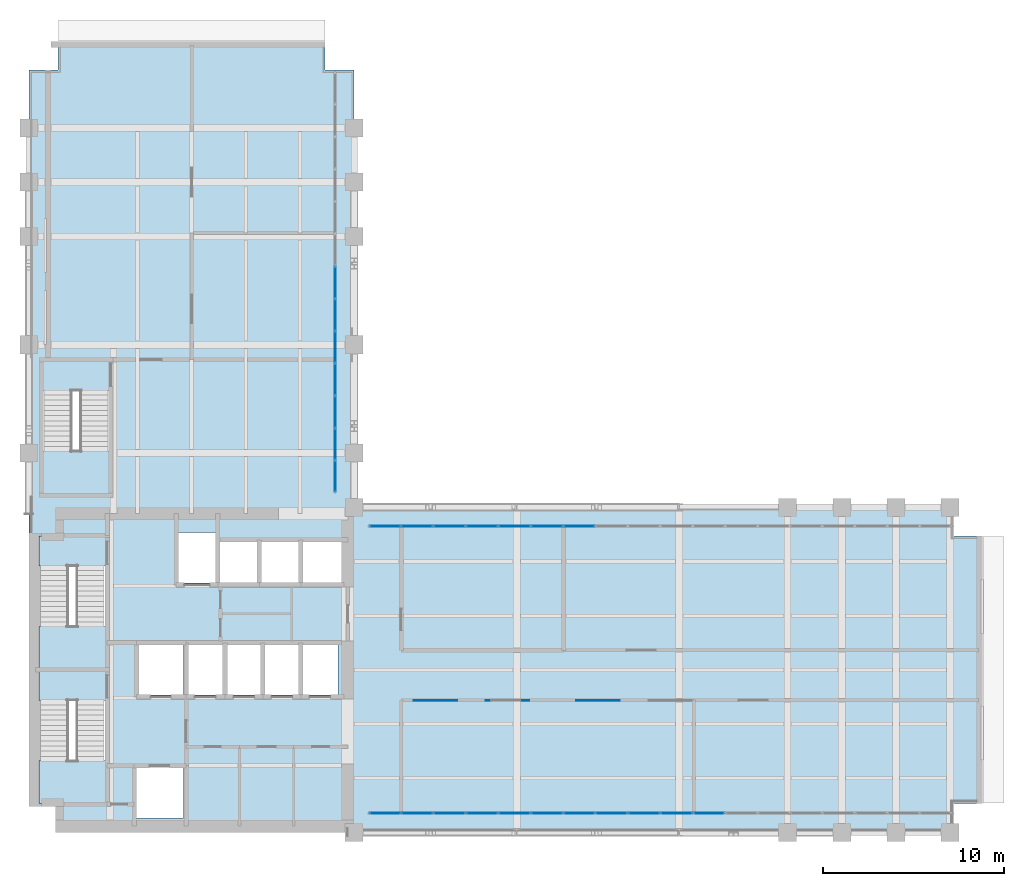
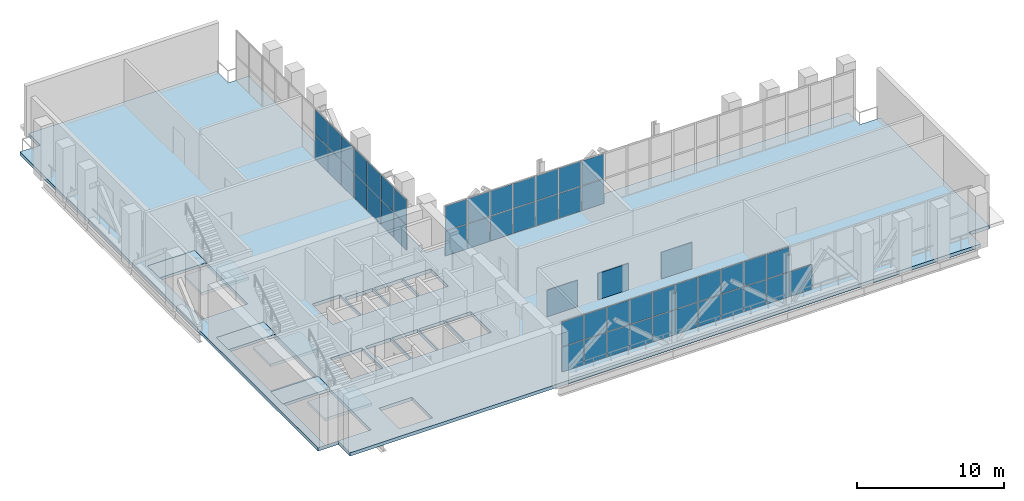
# One storey, part 21 of 27: 52 plates, 7 slabs, 6 elements without a shape of their own.
"""IFC4 building model written with IfcOpenShell, lengths in metres."""

from ifc_helpers import new_model, si_unit, direction, frame, origin, origin_2d, place, context, subcontext, project, spatial, polyline, rectangle, outline, extrude, material, layer, layer_set, type_object, element, aggregate, save


model = new_model("IFC4")

# Units and contexts
model_context = context("Model", 3, precision=1e-05, world=origin(), true_north=direction((0.0, 1.0)))
body_context = subcontext(model_context, "Body", "Model", "MODEL_VIEW")
ifc_project = project(units=[si_unit("LENGTHUNIT", "METRE"), si_unit("AREAUNIT", "SQUARE_METRE"), si_unit("VOLUMEUNIT", "CUBIC_METRE"), si_unit("PLANEANGLEUNIT", "RADIAN"), si_unit("MASSUNIT", "GRAM", prefix="KILO")], contexts=[model_context])

# Site, building, storey
site_placement = place(None, origin())
site = spatial("IfcSite", under=ifc_project, at=site_placement, CompositionType="ELEMENT")
building_placement = place(site_placement, origin())
building = spatial("IfcBuilding", under=site, at=building_placement, Name="Mawjdan Bourse Tower", CompositionType="ELEMENT")
storey_placement = place(building_placement, frame((0.0, 0.0, 155.699951171875)))
storey = spatial("IfcBuildingStorey", under=building, at=storey_placement, Name="L37", CompositionType="ELEMENT", Elevation=155.699951171875)

# Plates
ifc_material_1 = material(Name="Perforated Acoustic Aluminium Sheet", Category="aluminium")
ifc_layer_1 = layer(ifc_material_1, 0.044921875)
ifc_layer_set_1 = layer_set([ifc_layer_1], Name="Perforated Acoustic Aluminium Sheet")
plate_type_1 = type_object("IfcPlateType", Name="PLT-SCR-2400", PredefinedType="SHEET", material=ifc_layer_set_1)
for number, where, z_axis, x_axis, name in (
    (1, (28.5, 10.300048828125, 0.0), (0.0, 0.0, 1.0), (1.0, 0.0, 0.0), "L37 Acoustic Plant Plenum Screen 1"),
    (2, (32.5, 10.300048828125, 0.0), (0.0, 0.0, 1.0), (1.0, 0.0, 0.0), "L37 Acoustic Plant Plenum Screen 2"),
    (3, (37.5, 10.300048828125, 0.0), (0.0, 0.0, 1.0), (1.0, 0.0, 0.0), "L37 Acoustic Plant Plenum Screen 3"),
):
    element("IfcPlate", number, at=place(storey_placement, frame(where, z_axis=z_axis, x_axis=x_axis)), inside=storey, type_object=plate_type_1, Name=name, PredefinedType="SHEET", context=body_context, shape_type="SweptSolid", body=[
        extrude(rectangle(XDim=2.39990234375, YDim=0.044921875, at=origin_2d()), origin(), (0.0, 0.0, 1.0), 2.199951171875),
    ])

# Curtain wall, plates
ifc_material_2 = material(Name="Thermally Broken Aluminium and Solar Glass", Category="aluminium")
ifc_layer_2 = layer(ifc_material_2, 0.219970703125)
ifc_layer_set_2 = layer_set([ifc_layer_2], Name="Thermally Broken Aluminium and Solar Glass")
curtain_wall_type = type_object("IfcCurtainWallType", Name="CW-RFG", PredefinedType="USERDEFINED", material=ifc_layer_set_2)
curtain_wall_1_placement = place(storey_placement, origin())
curtain_wall_1 = element("IfcCurtainWall", 4, at=curtain_wall_1_placement, inside=storey, type_object=curtain_wall_type, Name="L37 Refuge Band South Louvre Curtain Wall", ObjectType="REFUGE BAND LOUVRE SCREEN", PredefinedType="USERDEFINED")
ifc_material_3 = material(Name="Anodised Sand-Trap Aluminium Louvre", Category="aluminium")
ifc_layer_3 = layer(ifc_material_3, 0.050048828125)
ifc_layer_set_3 = layer_set([ifc_layer_3], Name="Anodised Sand-Trap Aluminium Louvre")
plate_type_2 = type_object("IfcPlateType", Name="PNL-CW-RFG", PredefinedType="CURTAIN_PANEL", material=ifc_layer_set_3)
plate_1_placement = place(storey_placement, frame((25.71337890625, 4.050048828125, 0.05517578125), z_axis=(0.0, 0.0, 1.0), x_axis=(1.0, 0.0, 0.0)))
plate_1 = element("IfcPlate", 5, at=plate_1_placement, type_object=plate_type_2, Name="CW-RFG-L37-RFG-S panel 1.1", PredefinedType="CURTAIN_PANEL", context=body_context, shape_type="SweptSolid", body=[
    extrude(rectangle(XDim=1.697021484375, YDim=0.050048828125, at=origin_2d()), origin(), (0.0, 0.0, 1.0), 2.04248046875),
])
plate_2_placement = place(storey_placement, frame((25.71337890625, 4.050048828125, 2.152587890625), z_axis=(0.0, 0.0, 1.0), x_axis=(1.0, 0.0, 0.0)))
plate_2 = element("IfcPlate", 6, at=plate_2_placement, type_object=plate_type_2, Name="CW-RFG-L37-RFG-S panel 1.2", PredefinedType="CURTAIN_PANEL", context=body_context, shape_type="SweptSolid", body=[
    extrude(rectangle(XDim=1.697021484375, YDim=0.050048828125, at=origin_2d()), origin(), (0.0, 0.0, 1.0), 2.04248046875),
])
plate_3_placement = place(storey_placement, frame((27.49169921875, 4.050048828125, 0.05517578125), z_axis=(0.0, 0.0, 1.0), x_axis=(1.0, 0.0, 0.0)))
plate_3 = element("IfcPlate", 7, at=plate_3_placement, type_object=plate_type_2, Name="CW-RFG-L37-RFG-S panel 2.1", PredefinedType="CURTAIN_PANEL", context=body_context, shape_type="SweptSolid", body=[
    extrude(rectangle(XDim=1.7294921875, YDim=0.050048828125, at=origin_2d()), origin(), (0.0, 0.0, 1.0), 2.04248046875),
])
plate_4_placement = place(storey_placement, frame((27.49169921875, 4.050048828125, 2.152587890625), z_axis=(0.0, 0.0, 1.0), x_axis=(1.0, 0.0, 0.0)))
plate_4 = element("IfcPlate", 8, at=plate_4_placement, type_object=plate_type_2, Name="CW-RFG-L37-RFG-S panel 2.2", PredefinedType="CURTAIN_PANEL", context=body_context, shape_type="SweptSolid", body=[
    extrude(rectangle(XDim=1.7294921875, YDim=0.050048828125, at=origin_2d()), origin(), (0.0, 0.0, 1.0), 2.04248046875),
])
plate_5_placement = place(storey_placement, frame((29.2861328125, 4.050048828125, 0.05517578125), z_axis=(0.0, 0.0, 1.0), x_axis=(1.0, 0.0, 0.0)))
plate_5 = element("IfcPlate", 9, at=plate_5_placement, type_object=plate_type_2, Name="CW-RFG-L37-RFG-S panel 3.1", PredefinedType="CURTAIN_PANEL", context=body_context, shape_type="SweptSolid", body=[
    extrude(rectangle(XDim=1.7294921875, YDim=0.050048828125, at=origin_2d()), origin(), (0.0, 0.0, 1.0), 2.04248046875),
])
plate_6_placement = place(storey_placement, frame((29.2861328125, 4.050048828125, 2.152587890625), z_axis=(0.0, 0.0, 1.0), x_axis=(1.0, 0.0, 0.0)))
plate_6 = element("IfcPlate", 10, at=plate_6_placement, type_object=plate_type_2, Name="CW-RFG-L37-RFG-S panel 3.2", PredefinedType="CURTAIN_PANEL", context=body_context, shape_type="SweptSolid", body=[
    extrude(rectangle(XDim=1.7294921875, YDim=0.050048828125, at=origin_2d()), origin(), (0.0, 0.0, 1.0), 2.04248046875),
])
plate_7_placement = place(storey_placement, frame((31.08056640625, 4.050048828125, 0.05517578125), z_axis=(0.0, 0.0, 1.0), x_axis=(1.0, 0.0, 0.0)))
plate_7 = element("IfcPlate", 11, at=plate_7_placement, type_object=plate_type_2, Name="CW-RFG-L37-RFG-S panel 4.1", PredefinedType="CURTAIN_PANEL", context=body_context, shape_type="SweptSolid", body=[
    extrude(rectangle(XDim=1.7294921875, YDim=0.050048828125, at=origin_2d()), origin(), (0.0, 0.0, 1.0), 2.04248046875),
])
plate_8_placement = place(storey_placement, frame((31.08056640625, 4.050048828125, 2.152587890625), z_axis=(0.0, 0.0, 1.0), x_axis=(1.0, 0.0, 0.0)))
plate_8 = element("IfcPlate", 12, at=plate_8_placement, type_object=plate_type_2, Name="CW-RFG-L37-RFG-S panel 4.2", PredefinedType="CURTAIN_PANEL", context=body_context, shape_type="SweptSolid", body=[
    extrude(rectangle(XDim=1.7294921875, YDim=0.050048828125, at=origin_2d()), origin(), (0.0, 0.0, 1.0), 2.04248046875),
])
plate_9_placement = place(storey_placement, frame((32.875, 4.050048828125, 0.05517578125), z_axis=(0.0, 0.0, 1.0), x_axis=(1.0, 0.0, 0.0)))
plate_9 = element("IfcPlate", 13, at=plate_9_placement, type_object=plate_type_2, Name="CW-RFG-L37-RFG-S panel 5.1", PredefinedType="CURTAIN_PANEL", context=body_context, shape_type="SweptSolid", body=[
    extrude(rectangle(XDim=1.7294921875, YDim=0.050048828125, at=origin_2d()), origin(), (0.0, 0.0, 1.0), 2.04248046875),
])
plate_10_placement = place(storey_placement, frame((32.875, 4.050048828125, 2.152587890625), z_axis=(0.0, 0.0, 1.0), x_axis=(1.0, 0.0, 0.0)))
plate_10 = element("IfcPlate", 14, at=plate_10_placement, type_object=plate_type_2, Name="CW-RFG-L37-RFG-S panel 5.2", PredefinedType="CURTAIN_PANEL", context=body_context, shape_type="SweptSolid", body=[
    extrude(rectangle(XDim=1.7294921875, YDim=0.050048828125, at=origin_2d()), origin(), (0.0, 0.0, 1.0), 2.04248046875),
])
plate_11_placement = place(storey_placement, frame((34.66943359375, 4.050048828125, 0.05517578125), z_axis=(0.0, 0.0, 1.0), x_axis=(1.0, 0.0, 0.0)))
plate_11 = element("IfcPlate", 15, at=plate_11_placement, type_object=plate_type_2, Name="CW-RFG-L37-RFG-S panel 6.1", PredefinedType="CURTAIN_PANEL", context=body_context, shape_type="SweptSolid", body=[
    extrude(rectangle(XDim=1.7294921875, YDim=0.050048828125, at=origin_2d()), origin(), (0.0, 0.0, 1.0), 2.04248046875),
])
plate_12_placement = place(storey_placement, frame((34.66943359375, 4.050048828125, 2.152587890625), z_axis=(0.0, 0.0, 1.0), x_axis=(1.0, 0.0, 0.0)))
plate_12 = element("IfcPlate", 16, at=plate_12_placement, type_object=plate_type_2, Name="CW-RFG-L37-RFG-S panel 6.2", PredefinedType="CURTAIN_PANEL", context=body_context, shape_type="SweptSolid", body=[
    extrude(rectangle(XDim=1.7294921875, YDim=0.050048828125, at=origin_2d()), origin(), (0.0, 0.0, 1.0), 2.04248046875),
])
plate_13_placement = place(storey_placement, frame((36.4638671875, 4.050048828125, 0.05517578125), z_axis=(0.0, 0.0, 1.0), x_axis=(1.0, 0.0, 0.0)))
plate_13 = element("IfcPlate", 17, at=plate_13_placement, type_object=plate_type_2, Name="CW-RFG-L37-RFG-S panel 7.1", PredefinedType="CURTAIN_PANEL", context=body_context, shape_type="SweptSolid", body=[
    extrude(rectangle(XDim=1.7294921875, YDim=0.050048828125, at=origin_2d()), origin(), (0.0, 0.0, 1.0), 2.04248046875),
])
plate_14_placement = place(storey_placement, frame((36.4638671875, 4.050048828125, 2.152587890625), z_axis=(0.0, 0.0, 1.0), x_axis=(1.0, 0.0, 0.0)))
plate_14 = element("IfcPlate", 18, at=plate_14_placement, type_object=plate_type_2, Name="CW-RFG-L37-RFG-S panel 7.2", PredefinedType="CURTAIN_PANEL", context=body_context, shape_type="SweptSolid", body=[
    extrude(rectangle(XDim=1.7294921875, YDim=0.050048828125, at=origin_2d()), origin(), (0.0, 0.0, 1.0), 2.04248046875),
])
plate_15_placement = place(storey_placement, frame((38.25830078125, 4.050048828125, 0.05517578125), z_axis=(0.0, 0.0, 1.0), x_axis=(1.0, 0.0, 0.0)))
plate_15 = element("IfcPlate", 19, at=plate_15_placement, type_object=plate_type_2, Name="CW-RFG-L37-RFG-S panel 8.1", PredefinedType="CURTAIN_PANEL", context=body_context, shape_type="SweptSolid", body=[
    extrude(rectangle(XDim=1.7294921875, YDim=0.050048828125, at=origin_2d()), origin(), (0.0, 0.0, 1.0), 2.04248046875),
])
plate_16_placement = place(storey_placement, frame((38.25830078125, 4.050048828125, 2.152587890625), z_axis=(0.0, 0.0, 1.0), x_axis=(1.0, 0.0, 0.0)))
plate_16 = element("IfcPlate", 20, at=plate_16_placement, type_object=plate_type_2, Name="CW-RFG-L37-RFG-S panel 8.2", PredefinedType="CURTAIN_PANEL", context=body_context, shape_type="SweptSolid", body=[
    extrude(rectangle(XDim=1.7294921875, YDim=0.050048828125, at=origin_2d()), origin(), (0.0, 0.0, 1.0), 2.04248046875),
])
plate_17_placement = place(storey_placement, frame((40.052734375, 4.050048828125, 0.05517578125), z_axis=(0.0, 0.0, 1.0), x_axis=(1.0, 0.0, 0.0)))
plate_17 = element("IfcPlate", 21, at=plate_17_placement, type_object=plate_type_2, Name="CW-RFG-L37-RFG-S panel 9.1", PredefinedType="CURTAIN_PANEL", context=body_context, shape_type="SweptSolid", body=[
    extrude(rectangle(XDim=1.7294921875, YDim=0.050048828125, at=origin_2d()), origin(), (0.0, 0.0, 1.0), 2.04248046875),
])
plate_18_placement = place(storey_placement, frame((40.052734375, 4.050048828125, 2.152587890625), z_axis=(0.0, 0.0, 1.0), x_axis=(1.0, 0.0, 0.0)))
plate_18 = element("IfcPlate", 22, at=plate_18_placement, type_object=plate_type_2, Name="CW-RFG-L37-RFG-S panel 9.2", PredefinedType="CURTAIN_PANEL", context=body_context, shape_type="SweptSolid", body=[
    extrude(rectangle(XDim=1.7294921875, YDim=0.050048828125, at=origin_2d()), origin(), (0.0, 0.0, 1.0), 2.04248046875),
])
plate_19_placement = place(storey_placement, frame((41.84716796875, 4.050048828125, 0.05517578125), z_axis=(0.0, 0.0, 1.0), x_axis=(1.0, 0.0, 0.0)))
plate_19 = element("IfcPlate", 23, at=plate_19_placement, type_object=plate_type_2, Name="CW-RFG-L37-RFG-S panel 10.1", PredefinedType="CURTAIN_PANEL", context=body_context, shape_type="SweptSolid", body=[
    extrude(rectangle(XDim=1.7294921875, YDim=0.050048828125, at=origin_2d()), origin(), (0.0, 0.0, 1.0), 2.04248046875),
])
plate_20_placement = place(storey_placement, frame((41.84716796875, 4.050048828125, 2.152587890625), z_axis=(0.0, 0.0, 1.0), x_axis=(1.0, 0.0, 0.0)))
plate_20 = element("IfcPlate", 24, at=plate_20_placement, type_object=plate_type_2, Name="CW-RFG-L37-RFG-S panel 10.2", PredefinedType="CURTAIN_PANEL", context=body_context, shape_type="SweptSolid", body=[
    extrude(rectangle(XDim=1.7294921875, YDim=0.050048828125, at=origin_2d()), origin(), (0.0, 0.0, 1.0), 2.04248046875),
])
plate_21_placement = place(storey_placement, frame((43.6416015625, 4.050048828125, 0.05517578125), z_axis=(0.0, 0.0, 1.0), x_axis=(1.0, 0.0, 0.0)))
plate_21 = element("IfcPlate", 25, at=plate_21_placement, type_object=plate_type_2, Name="CW-RFG-L37-RFG-S panel 11.1", PredefinedType="CURTAIN_PANEL", context=body_context, shape_type="SweptSolid", body=[
    extrude(rectangle(XDim=1.7294921875, YDim=0.050048828125, at=origin_2d()), origin(), (0.0, 0.0, 1.0), 2.04248046875),
])
aggregate(curtain_wall_1, [plate_1, plate_2, plate_3, plate_4, plate_5, plate_6, plate_7, plate_8, plate_9, plate_10, plate_11, plate_12, plate_13, plate_14, plate_15, plate_16, plate_17, plate_18, plate_19, plate_20, plate_21])

curtain_wall_2_placement = place(storey_placement, origin())
curtain_wall_2 = element("IfcCurtainWall", 26, at=curtain_wall_2_placement, inside=storey, type_object=curtain_wall_type, Name="L37 Refuge Band North Louvre Curtain Wall", ObjectType="REFUGE BAND LOUVRE SCREEN", PredefinedType="USERDEFINED")
plate_22_placement = place(storey_placement, frame((36.4638671875, 19.949951171875, 0.05517578125), z_axis=(0.0, 0.0, 1.0), x_axis=(-1.0, 0.0, 0.0)))
plate_22 = element("IfcPlate", 27, at=plate_22_placement, type_object=plate_type_2, Name="CW-RFG-L37-RFG-N panel 12.1", PredefinedType="CURTAIN_PANEL", context=body_context, shape_type="SweptSolid", body=[
    extrude(rectangle(XDim=1.7294921875, YDim=0.050048828125, at=origin_2d()), origin(), (0.0, 0.0, 1.0), 2.04248046875),
])
plate_23_placement = place(storey_placement, frame((36.4638671875, 19.949951171875, 2.152587890625), z_axis=(0.0, 0.0, 1.0), x_axis=(-1.0, 0.0, 0.0)))
plate_23 = element("IfcPlate", 28, at=plate_23_placement, type_object=plate_type_2, Name="CW-RFG-L37-RFG-N panel 12.2", PredefinedType="CURTAIN_PANEL", context=body_context, shape_type="SweptSolid", body=[
    extrude(rectangle(XDim=1.7294921875, YDim=0.050048828125, at=origin_2d()), origin(), (0.0, 0.0, 1.0), 2.04248046875),
])
plate_24_placement = place(storey_placement, frame((34.66943359375, 19.949951171875, 0.05517578125), z_axis=(0.0, 0.0, 1.0), x_axis=(-1.0, 0.0, 0.0)))
plate_24 = element("IfcPlate", 29, at=plate_24_placement, type_object=plate_type_2, Name="CW-RFG-L37-RFG-N panel 13.1", PredefinedType="CURTAIN_PANEL", context=body_context, shape_type="SweptSolid", body=[
    extrude(rectangle(XDim=1.7294921875, YDim=0.050048828125, at=origin_2d()), origin(), (0.0, 0.0, 1.0), 2.04248046875),
])
plate_25_placement = place(storey_placement, frame((34.66943359375, 19.949951171875, 2.152587890625), z_axis=(0.0, 0.0, 1.0), x_axis=(-1.0, 0.0, 0.0)))
plate_25 = element("IfcPlate", 30, at=plate_25_placement, type_object=plate_type_2, Name="CW-RFG-L37-RFG-N panel 13.2", PredefinedType="CURTAIN_PANEL", context=body_context, shape_type="SweptSolid", body=[
    extrude(rectangle(XDim=1.7294921875, YDim=0.050048828125, at=origin_2d()), origin(), (0.0, 0.0, 1.0), 2.04248046875),
])
plate_26_placement = place(storey_placement, frame((32.875, 19.949951171875, 0.05517578125), z_axis=(0.0, 0.0, 1.0), x_axis=(-1.0, 0.0, 0.0)))
plate_26 = element("IfcPlate", 31, at=plate_26_placement, type_object=plate_type_2, Name="CW-RFG-L37-RFG-N panel 14.1", PredefinedType="CURTAIN_PANEL", context=body_context, shape_type="SweptSolid", body=[
    extrude(rectangle(XDim=1.7294921875, YDim=0.050048828125, at=origin_2d()), origin(), (0.0, 0.0, 1.0), 2.04248046875),
])
plate_27_placement = place(storey_placement, frame((32.875, 19.949951171875, 2.152587890625), z_axis=(0.0, 0.0, 1.0), x_axis=(-1.0, 0.0, 0.0)))
plate_27 = element("IfcPlate", 32, at=plate_27_placement, type_object=plate_type_2, Name="CW-RFG-L37-RFG-N panel 14.2", PredefinedType="CURTAIN_PANEL", context=body_context, shape_type="SweptSolid", body=[
    extrude(rectangle(XDim=1.7294921875, YDim=0.050048828125, at=origin_2d()), origin(), (0.0, 0.0, 1.0), 2.04248046875),
])
plate_28_placement = place(storey_placement, frame((31.08056640625, 19.949951171875, 0.05517578125), z_axis=(0.0, 0.0, 1.0), x_axis=(-1.0, 0.0, 0.0)))
plate_28 = element("IfcPlate", 33, at=plate_28_placement, type_object=plate_type_2, Name="CW-RFG-L37-RFG-N panel 15.1", PredefinedType="CURTAIN_PANEL", context=body_context, shape_type="SweptSolid", body=[
    extrude(rectangle(XDim=1.7294921875, YDim=0.050048828125, at=origin_2d()), origin(), (0.0, 0.0, 1.0), 2.04248046875),
])
plate_29_placement = place(storey_placement, frame((31.08056640625, 19.949951171875, 2.152587890625), z_axis=(0.0, 0.0, 1.0), x_axis=(-1.0, 0.0, 0.0)))
plate_29 = element("IfcPlate", 34, at=plate_29_placement, type_object=plate_type_2, Name="CW-RFG-L37-RFG-N panel 15.2", PredefinedType="CURTAIN_PANEL", context=body_context, shape_type="SweptSolid", body=[
    extrude(rectangle(XDim=1.7294921875, YDim=0.050048828125, at=origin_2d()), origin(), (0.0, 0.0, 1.0), 2.04248046875),
])
plate_30_placement = place(storey_placement, frame((29.2861328125, 19.949951171875, 0.05517578125), z_axis=(0.0, 0.0, 1.0), x_axis=(-1.0, 0.0, 0.0)))
plate_30 = element("IfcPlate", 35, at=plate_30_placement, type_object=plate_type_2, Name="CW-RFG-L37-RFG-N panel 16.1", PredefinedType="CURTAIN_PANEL", context=body_context, shape_type="SweptSolid", body=[
    extrude(rectangle(XDim=1.7294921875, YDim=0.050048828125, at=origin_2d()), origin(), (0.0, 0.0, 1.0), 2.04248046875),
])
plate_31_placement = place(storey_placement, frame((29.2861328125, 19.949951171875, 2.152587890625), z_axis=(0.0, 0.0, 1.0), x_axis=(-1.0, 0.0, 0.0)))
plate_31 = element("IfcPlate", 36, at=plate_31_placement, type_object=plate_type_2, Name="CW-RFG-L37-RFG-N panel 16.2", PredefinedType="CURTAIN_PANEL", context=body_context, shape_type="SweptSolid", body=[
    extrude(rectangle(XDim=1.7294921875, YDim=0.050048828125, at=origin_2d()), origin(), (0.0, 0.0, 1.0), 2.04248046875),
])
plate_32_placement = place(storey_placement, frame((27.49169921875, 19.949951171875, 0.05517578125), z_axis=(0.0, 0.0, 1.0), x_axis=(-1.0, 0.0, 0.0)))
plate_32 = element("IfcPlate", 37, at=plate_32_placement, type_object=plate_type_2, Name="CW-RFG-L37-RFG-N panel 17.1", PredefinedType="CURTAIN_PANEL", context=body_context, shape_type="SweptSolid", body=[
    extrude(rectangle(XDim=1.7294921875, YDim=0.050048828125, at=origin_2d()), origin(), (0.0, 0.0, 1.0), 2.04248046875),
])
plate_33_placement = place(storey_placement, frame((27.49169921875, 19.949951171875, 2.152587890625), z_axis=(0.0, 0.0, 1.0), x_axis=(-1.0, 0.0, 0.0)))
plate_33 = element("IfcPlate", 38, at=plate_33_placement, type_object=plate_type_2, Name="CW-RFG-L37-RFG-N panel 17.2", PredefinedType="CURTAIN_PANEL", context=body_context, shape_type="SweptSolid", body=[
    extrude(rectangle(XDim=1.7294921875, YDim=0.050048828125, at=origin_2d()), origin(), (0.0, 0.0, 1.0), 2.04248046875),
])
plate_34_placement = place(storey_placement, frame((25.71337890625, 19.949951171875, 0.05517578125), z_axis=(0.0, 0.0, 1.0), x_axis=(-1.0, 0.0, 0.0)))
plate_34 = element("IfcPlate", 39, at=plate_34_placement, type_object=plate_type_2, Name="CW-RFG-L37-RFG-N panel 18.1", PredefinedType="CURTAIN_PANEL", context=body_context, shape_type="SweptSolid", body=[
    extrude(rectangle(XDim=1.697021484375, YDim=0.050048828125, at=origin_2d()), origin(), (0.0, 0.0, 1.0), 2.04248046875),
])
plate_35_placement = place(storey_placement, frame((25.71337890625, 19.949951171875, 2.152587890625), z_axis=(0.0, 0.0, 1.0), x_axis=(-1.0, 0.0, 0.0)))
plate_35 = element("IfcPlate", 40, at=plate_35_placement, type_object=plate_type_2, Name="CW-RFG-L37-RFG-N panel 18.2", PredefinedType="CURTAIN_PANEL", context=body_context, shape_type="SweptSolid", body=[
    extrude(rectangle(XDim=1.697021484375, YDim=0.050048828125, at=origin_2d()), origin(), (0.0, 0.0, 1.0), 2.04248046875),
])
aggregate(curtain_wall_2, [plate_22, plate_23, plate_24, plate_25, plate_26, plate_27, plate_28, plate_29, plate_30, plate_31, plate_32, plate_33, plate_34, plate_35])

curtain_wall_3_placement = place(storey_placement, origin())
curtain_wall_3 = element("IfcCurtainWall", 41, at=curtain_wall_3_placement, inside=storey, type_object=curtain_wall_type, Name="L37 Refuge Band North-Wing Louvre Curtain Wall", ObjectType="REFUGE BAND LOUVRE SCREEN", PredefinedType="USERDEFINED")
plate_36_placement = place(storey_placement, frame((22.949951171875, 22.71240234375, 0.05517578125), z_axis=(0.0, 0.0, 1.0), x_axis=(0.0, 1.0, 0.0)))
plate_36 = element("IfcPlate", 42, at=plate_36_placement, type_object=plate_type_2, Name="CW-RFG-L37-RFG-W panel 1.1", PredefinedType="CURTAIN_PANEL", context=body_context, shape_type="SweptSolid", body=[
    extrude(rectangle(XDim=1.69482421875, YDim=0.050048828125, at=origin_2d()), origin(), (0.0, 0.0, 1.0), 2.04248046875),
])
plate_37_placement = place(storey_placement, frame((22.949951171875, 22.71240234375, 2.152587890625), z_axis=(0.0, 0.0, 1.0), x_axis=(0.0, 1.0, 0.0)))
plate_37 = element("IfcPlate", 43, at=plate_37_placement, type_object=plate_type_2, Name="CW-RFG-L37-RFG-W panel 1.2", PredefinedType="CURTAIN_PANEL", context=body_context, shape_type="SweptSolid", body=[
    extrude(rectangle(XDim=1.69482421875, YDim=0.050048828125, at=origin_2d()), origin(), (0.0, 0.0, 1.0), 2.04248046875),
])
plate_38_placement = place(storey_placement, frame((22.949951171875, 24.488525390625, 0.05517578125), z_axis=(0.0, 0.0, 1.0), x_axis=(0.0, 1.0, 0.0)))
plate_38 = element("IfcPlate", 44, at=plate_38_placement, type_object=plate_type_2, Name="CW-RFG-L37-RFG-W panel 2.1", PredefinedType="CURTAIN_PANEL", context=body_context, shape_type="SweptSolid", body=[
    extrude(rectangle(XDim=1.727294921875, YDim=0.050048828125, at=origin_2d()), origin(), (0.0, 0.0, 1.0), 2.04248046875),
])
plate_39_placement = place(storey_placement, frame((22.949951171875, 24.488525390625, 2.152587890625), z_axis=(0.0, 0.0, 1.0), x_axis=(0.0, 1.0, 0.0)))
plate_39 = element("IfcPlate", 45, at=plate_39_placement, type_object=plate_type_2, Name="CW-RFG-L37-RFG-W panel 2.2", PredefinedType="CURTAIN_PANEL", context=body_context, shape_type="SweptSolid", body=[
    extrude(rectangle(XDim=1.727294921875, YDim=0.050048828125, at=origin_2d()), origin(), (0.0, 0.0, 1.0), 2.04248046875),
])
plate_40_placement = place(storey_placement, frame((22.949951171875, 26.28076171875, 0.05517578125), z_axis=(0.0, 0.0, 1.0), x_axis=(0.0, 1.0, 0.0)))
plate_40 = element("IfcPlate", 46, at=plate_40_placement, type_object=plate_type_2, Name="CW-RFG-L37-RFG-W panel 3.1", PredefinedType="CURTAIN_PANEL", context=body_context, shape_type="SweptSolid", body=[
    extrude(rectangle(XDim=1.727294921875, YDim=0.050048828125, at=origin_2d()), origin(), (0.0, 0.0, 1.0), 2.04248046875),
])
plate_41_placement = place(storey_placement, frame((22.949951171875, 26.28076171875, 2.152587890625), z_axis=(0.0, 0.0, 1.0), x_axis=(0.0, 1.0, 0.0)))
plate_41 = element("IfcPlate", 47, at=plate_41_placement, type_object=plate_type_2, Name="CW-RFG-L37-RFG-W panel 3.2", PredefinedType="CURTAIN_PANEL", context=body_context, shape_type="SweptSolid", body=[
    extrude(rectangle(XDim=1.727294921875, YDim=0.050048828125, at=origin_2d()), origin(), (0.0, 0.0, 1.0), 2.04248046875),
])
plate_42_placement = place(storey_placement, frame((22.949951171875, 28.072998046875, 0.05517578125), z_axis=(0.0, 0.0, 1.0), x_axis=(0.0, 1.0, 0.0)))
plate_42 = element("IfcPlate", 48, at=plate_42_placement, type_object=plate_type_2, Name="CW-RFG-L37-RFG-W panel 4.1", PredefinedType="CURTAIN_PANEL", context=body_context, shape_type="SweptSolid", body=[
    extrude(rectangle(XDim=1.727294921875, YDim=0.050048828125, at=origin_2d()), origin(), (0.0, 0.0, 1.0), 2.04248046875),
])
plate_43_placement = place(storey_placement, frame((22.949951171875, 28.072998046875, 2.152587890625), z_axis=(0.0, 0.0, 1.0), x_axis=(0.0, 1.0, 0.0)))
plate_43 = element("IfcPlate", 49, at=plate_43_placement, type_object=plate_type_2, Name="CW-RFG-L37-RFG-W panel 4.2", PredefinedType="CURTAIN_PANEL", context=body_context, shape_type="SweptSolid", body=[
    extrude(rectangle(XDim=1.727294921875, YDim=0.050048828125, at=origin_2d()), origin(), (0.0, 0.0, 1.0), 2.04248046875),
])
plate_44_placement = place(storey_placement, frame((22.949951171875, 29.865478515625, 0.05517578125), z_axis=(0.0, 0.0, 1.0), x_axis=(0.0, 1.0, 0.0)))
plate_44 = element("IfcPlate", 50, at=plate_44_placement, type_object=plate_type_2, Name="CW-RFG-L37-RFG-W panel 5.1", PredefinedType="CURTAIN_PANEL", context=body_context, shape_type="SweptSolid", body=[
    extrude(rectangle(XDim=1.727294921875, YDim=0.050048828125, at=origin_2d()), origin(), (0.0, 0.0, 1.0), 2.04248046875),
])
plate_45_placement = place(storey_placement, frame((22.949951171875, 29.865478515625, 2.152587890625), z_axis=(0.0, 0.0, 1.0), x_axis=(0.0, 1.0, 0.0)))
plate_45 = element("IfcPlate", 51, at=plate_45_placement, type_object=plate_type_2, Name="CW-RFG-L37-RFG-W panel 5.2", PredefinedType="CURTAIN_PANEL", context=body_context, shape_type="SweptSolid", body=[
    extrude(rectangle(XDim=1.727294921875, YDim=0.050048828125, at=origin_2d()), origin(), (0.0, 0.0, 1.0), 2.04248046875),
])
plate_46_placement = place(storey_placement, frame((22.949951171875, 31.65771484375, 0.05517578125), z_axis=(0.0, 0.0, 1.0), x_axis=(0.0, 1.0, 0.0)))
plate_46 = element("IfcPlate", 52, at=plate_46_placement, type_object=plate_type_2, Name="CW-RFG-L37-RFG-W panel 6.1", PredefinedType="CURTAIN_PANEL", context=body_context, shape_type="SweptSolid", body=[
    extrude(rectangle(XDim=1.727294921875, YDim=0.050048828125, at=origin_2d()), origin(), (0.0, 0.0, 1.0), 2.04248046875),
])
plate_47_placement = place(storey_placement, frame((22.949951171875, 31.65771484375, 2.152587890625), z_axis=(0.0, 0.0, 1.0), x_axis=(0.0, 1.0, 0.0)))
plate_47 = element("IfcPlate", 53, at=plate_47_placement, type_object=plate_type_2, Name="CW-RFG-L37-RFG-W panel 6.2", PredefinedType="CURTAIN_PANEL", context=body_context, shape_type="SweptSolid", body=[
    extrude(rectangle(XDim=1.727294921875, YDim=0.050048828125, at=origin_2d()), origin(), (0.0, 0.0, 1.0), 2.04248046875),
])
plate_48_placement = place(storey_placement, frame((22.949951171875, 33.449951171875, 0.05517578125), z_axis=(0.0, 0.0, 1.0), x_axis=(0.0, 1.0, 0.0)))
plate_48 = element("IfcPlate", 54, at=plate_48_placement, type_object=plate_type_2, Name="CW-RFG-L37-RFG-W panel 7.1", PredefinedType="CURTAIN_PANEL", context=body_context, shape_type="SweptSolid", body=[
    extrude(rectangle(XDim=1.727294921875, YDim=0.050048828125, at=origin_2d()), origin(), (0.0, 0.0, 1.0), 2.04248046875),
])
plate_49_placement = place(storey_placement, frame((22.949951171875, 33.449951171875, 2.152587890625), z_axis=(0.0, 0.0, 1.0), x_axis=(0.0, 1.0, 0.0)))
plate_49 = element("IfcPlate", 55, at=plate_49_placement, type_object=plate_type_2, Name="CW-RFG-L37-RFG-W panel 7.2", PredefinedType="CURTAIN_PANEL", context=body_context, shape_type="SweptSolid", body=[
    extrude(rectangle(XDim=1.727294921875, YDim=0.050048828125, at=origin_2d()), origin(), (0.0, 0.0, 1.0), 2.04248046875),
])
aggregate(curtain_wall_3, [plate_36, plate_37, plate_38, plate_39, plate_40, plate_41, plate_42, plate_43, plate_44, plate_45, plate_46, plate_47, plate_48, plate_49])

# Stair, slabs
ifc_material_4 = material(Name="Concrete C50/60", Category="concrete")
stair_type = type_object("IfcStairType", Name="STR-CORE-1500", PredefinedType="HALF_TURN_STAIR", material=ifc_material_4)
stair_1_placement = place(storey_placement, origin())
stair_1 = element("IfcStair", 56, at=stair_1_placement, inside=storey, type_object=stair_type, Name="L37 Exit Stair 1 (Core South-West)", PredefinedType="HALF_TURN_STAIR")
ifc_layer_4 = layer(ifc_material_4, 0.22998046875)
ifc_layer_set_4 = layer_set([ifc_layer_4], Name="Concrete C50/60")
slab_type_1 = type_object("IfcSlabType", Name="SL-LND-230", PredefinedType="LANDING", material=ifc_layer_set_4)
slab_1_placement = place(storey_placement, frame((0.0, 0.0, -0.22998046875)))
slab_1 = element("IfcSlab", 57, at=slab_1_placement, type_object=slab_type_1, Name="ST1-L37 landing 1", PredefinedType="LANDING", context=body_context, shape_type="SweptSolid", body=[
    extrude(outline(polyline([(6.5400390625, 10.31005859375), (10.260009765625, 10.31005859375), (10.260009765625, 11.969970703125), (6.5400390625, 11.969970703125), (6.5400390625, 10.31005859375)])), origin(), (0.0, 0.0, 1.0), 0.22998046875),
])
slab_2_placement = place(storey_placement, frame((0.0, 0.0, 2.02001953125)))
slab_2 = element("IfcSlab", 58, at=slab_2_placement, type_object=slab_type_1, Name="ST1-L37 landing 2", PredefinedType="LANDING", context=body_context, shape_type="SweptSolid", body=[
    extrude(outline(polyline([(6.5400390625, 4.590087890625), (10.260009765625, 4.590087890625), (10.260009765625, 6.969970703125), (6.5400390625, 6.969970703125), (6.5400390625, 4.590087890625)])), origin(), (0.0, 0.0, 1.0), 0.22998046875),
])
aggregate(stair_1, [slab_1, slab_2])

stair_2_placement = place(storey_placement, origin())
stair_2 = element("IfcStair", 59, at=stair_2_placement, inside=storey, type_object=stair_type, Name="L37 Exit Stair 2 (Core North-West)", PredefinedType="HALF_TURN_STAIR")
slab_3_placement = place(storey_placement, frame((0.0, 0.0, -0.22998046875)))
slab_3 = element("IfcSlab", 60, at=slab_3_placement, type_object=slab_type_1, Name="ST2-L37 landing 1", PredefinedType="LANDING", context=body_context, shape_type="SweptSolid", body=[
    extrude(outline(polyline([(6.5400390625, 17.75), (10.260009765625, 17.75), (10.260009765625, 19.409912109375), (6.5400390625, 19.409912109375), (6.5400390625, 17.75)])), origin(), (0.0, 0.0, 1.0), 0.22998046875),
])
slab_4_placement = place(storey_placement, frame((0.0, 0.0, 2.02001953125)))
slab_4 = element("IfcSlab", 61, at=slab_4_placement, type_object=slab_type_1, Name="ST2-L37 landing 2", PredefinedType="LANDING", context=body_context, shape_type="SweptSolid", body=[
    extrude(outline(polyline([(6.5400390625, 12.030029296875), (10.260009765625, 12.030029296875), (10.260009765625, 14.409912109375), (6.5400390625, 14.409912109375), (6.5400390625, 12.030029296875)])), origin(), (0.0, 0.0, 1.0), 0.22998046875),
])
aggregate(stair_2, [slab_3, slab_4])

stair_3_placement = place(storey_placement, origin())
stair_3 = element("IfcStair", 62, at=stair_3_placement, inside=storey, type_object=stair_type, Name="L37 Exit Stair 3 (North Wing)", PredefinedType="HALF_TURN_STAIR")
slab_5_placement = place(storey_placement, frame((0.0, 0.0, -0.22998046875)))
slab_5 = element("IfcSlab", 63, at=slab_5_placement, type_object=slab_type_1, Name="ST3-L37 landing 1", PredefinedType="LANDING", context=body_context, shape_type="SweptSolid", body=[
    extrude(outline(polyline([(6.739990234375, 27.4599609375), (10.4599609375, 27.4599609375), (10.4599609375, 29.1201171875), (6.739990234375, 29.1201171875), (6.739990234375, 27.4599609375)])), origin(), (0.0, 0.0, 1.0), 0.22998046875),
])
slab_6_placement = place(storey_placement, frame((0.0, 0.0, 2.02001953125)))
slab_6 = element("IfcSlab", 64, at=slab_6_placement, type_object=slab_type_1, Name="ST3-L37 landing 2", PredefinedType="LANDING", context=body_context, shape_type="SweptSolid", body=[
    extrude(outline(polyline([(6.739990234375, 21.739990234375), (10.4599609375, 21.739990234375), (10.4599609375, 24.1201171875), (6.739990234375, 24.1201171875), (6.739990234375, 21.739990234375)])), origin(), (0.0, 0.0, 1.0), 0.22998046875),
])
aggregate(stair_3, [slab_5, slab_6])

# Slab
ifc_layer_5 = layer(ifc_material_4, 0.280029296875)
ifc_layer_set_5 = layer_set([ifc_layer_5], Name="Concrete C50/60")
slab_type_2 = type_object("IfcSlabType", Name="SL-PLT-280", PredefinedType="FLOOR", material=ifc_layer_set_5)
slab_7_placement = place(storey_placement, frame((0.0, 0.0, -0.280029296875)))
element("IfcSlab", 65, at=slab_7_placement, inside=storey, type_object=slab_type_2, Name="L37 Structural Floor Slab 1", PredefinedType="FLOOR", context=body_context, shape_type="SweptSolid", body=[
    extrude(outline(polyline([(7.60009765625, 3.0), (57.199951171875, 3.0), (57.199951171875, 4.60009765625), (58.800048828125, 4.60009765625), (58.800048828125, 19.39990234375), (57.199951171875, 19.39990234375), (57.199951171875, 21.0), (24.0, 21.0), (24.0, 45.199951171875), (22.39990234375, 45.199951171875), (22.39990234375, 46.800048828125), (7.60009765625, 46.800048828125), (7.60009765625, 45.199951171875), (6.0, 45.199951171875), (6.0, 4.60009765625), (7.60009765625, 4.60009765625), (7.60009765625, 3.0)]), holes=[polyline([(11.949951171875, 3.800048828125), (11.949951171875, 6.60009765625), (14.550048828125, 6.60009765625), (14.550048828125, 3.800048828125), (11.949951171875, 3.800048828125)]), polyline([(6.60009765625, 10.31005859375), (6.5400390625, 10.31005859375), (6.5400390625, 11.969970703125), (10.260009765625, 11.969970703125), (10.260009765625, 10.31005859375), (10.199951171875, 10.31005859375), (10.199951171875, 4.64990234375), (6.60009765625, 4.64990234375), (6.60009765625, 10.31005859375)]), polyline([(12.050048828125, 10.60009765625), (12.050048828125, 13.39990234375), (14.550048828125, 13.39990234375), (14.550048828125, 10.60009765625), (12.050048828125, 10.60009765625)]), polyline([(10.260009765625, 19.409912109375), (10.260009765625, 17.75), (10.199951171875, 17.75), (10.199951171875, 12.090087890625), (6.60009765625, 12.090087890625), (6.60009765625, 17.75), (6.5400390625, 17.75), (6.5400390625, 19.409912109375), (10.260009765625, 19.409912109375)]), polyline([(10.4599609375, 29.1201171875), (10.4599609375, 27.4599609375), (10.39990234375, 27.4599609375), (10.39990234375, 21.800048828125), (6.800048828125, 21.800048828125), (6.800048828125, 27.4599609375), (6.739990234375, 27.4599609375), (6.739990234375, 29.1201171875), (10.4599609375, 29.1201171875)]), polyline([(14.800048828125, 10.60009765625), (14.800048828125, 13.39990234375), (16.800048828125, 13.39990234375), (16.800048828125, 10.60009765625), (14.800048828125, 10.60009765625)]), polyline([(16.89990234375, 10.60009765625), (16.89990234375, 13.39990234375), (18.89990234375, 13.39990234375), (18.89990234375, 10.60009765625), (16.89990234375, 10.60009765625)]), polyline([(19.0, 10.60009765625), (19.0, 13.39990234375), (21.0, 13.39990234375), (21.0, 10.60009765625), (19.0, 10.60009765625)]), polyline([(21.10009765625, 10.60009765625), (21.10009765625, 13.39990234375), (23.10009765625, 13.39990234375), (23.10009765625, 10.60009765625), (21.10009765625, 10.60009765625)]), polyline([(16.5, 16.800048828125), (16.5, 19.14990234375), (18.699951171875, 19.14990234375), (18.699951171875, 16.800048828125), (16.5, 16.800048828125)]), polyline([(18.800048828125, 16.800048828125), (18.800048828125, 19.14990234375), (21.0, 19.14990234375), (21.0, 16.800048828125), (18.800048828125, 16.800048828125)]), polyline([(21.10009765625, 16.800048828125), (21.10009765625, 19.14990234375), (23.300048828125, 19.14990234375), (23.300048828125, 16.800048828125), (21.10009765625, 16.800048828125)]), polyline([(14.199951171875, 16.800048828125), (14.199951171875, 19.60009765625), (16.39990234375, 19.60009765625), (16.39990234375, 16.800048828125), (14.199951171875, 16.800048828125)])]), origin(), (0.0, 0.0, 1.0), 0.280029296875),
])

save(model, "model.ifc")
